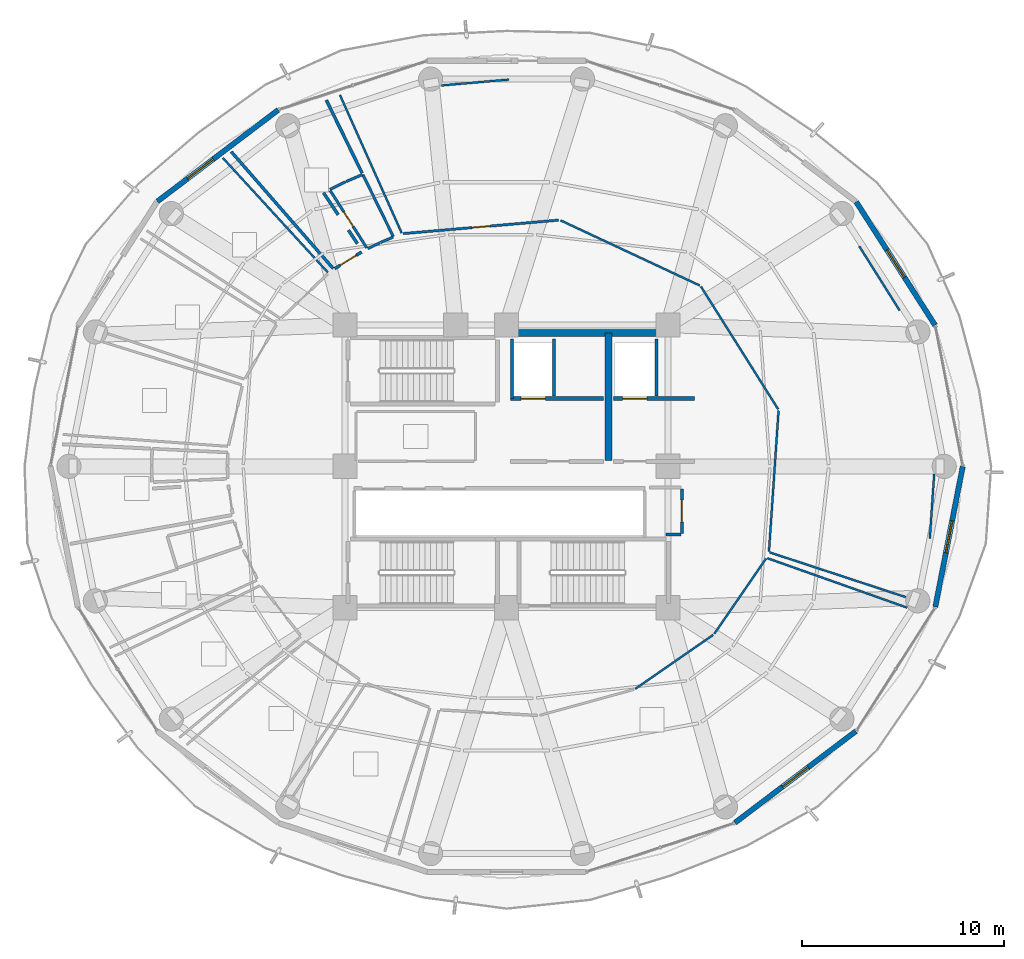
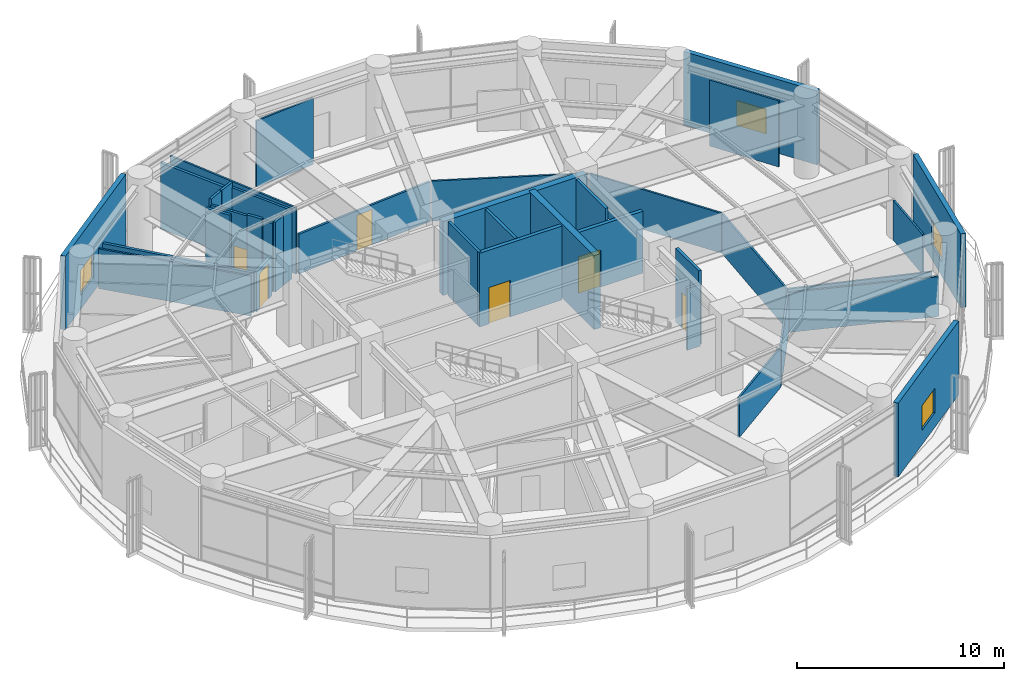
# One storey, part 23 of 28: 37 walls, 6 doors, 4 windows, 10 openings.
"""IFC4 building model written with IfcOpenShell, lengths in metres."""

import ifcopenshell
import ifcopenshell.guid

model = None  # the IFC model being written
_history = None  # IfcOwnerHistory: only IFC2X3 demands one
_inside = {}  # id of a spatial element -> (the spatial element, [elements in it])
_under = {}  # id of a project, library or spatial element -> (it, [spatial elements below it])
_declared = {}  # id of a project -> (the project, [libraries it declares])
_typed = {}  # id of a type object -> (the type object, [elements of that type])
_made_of = {}  # id of a material, layer set ... -> (it, [elements and type objects made of it])


def new_model(schema):
    """Start an empty IFC model of exactly this schema.

    Asked for "IFC4X3", IfcOpenShell would pick the latest addendum, in which some entities
    have other attributes; the version numbers below select the first issue.
    IFC2X3 requires an IfcOwnerHistory on every rooted entity: one is made here for all.
    """
    global model, _history
    if schema == "IFC4X3":
        model = ifcopenshell.file(schema_version=(4, 3, 0, 0))
    else:
        model = ifcopenshell.file(schema=schema)
    _inside.clear()
    _under.clear()
    _declared.clear()
    _typed.clear()
    _made_of.clear()
    _history = None
    if model.schema == "IFC2X3":
        org = make("IfcOrganization", Name="unknown")
        user = make(
            "IfcPersonAndOrganization",
            ThePerson=make("IfcPerson", FamilyName="unknown"),
            TheOrganization=org,
        )
        app = make(
            "IfcApplication",
            ApplicationDeveloper=org,
            Version="unknown",
            ApplicationFullName="unknown",
            ApplicationIdentifier="unknown",
        )
        _history = make(
            "IfcOwnerHistory",
            OwningUser=user,
            OwningApplication=app,
            ChangeAction="ADDED",
            CreationDate=0,
        )
    return model


def make(cls, **values):
    """One entity of the class cls with the attributes given. An attribute that is None is left unset."""
    return model.create_entity(
        cls, **{name: value for name, value in values.items() if value is not None}
    )


def rooted(cls, **values):
    """An entity with a GlobalId (a new one), such as an element, a storey or a relation."""
    return make(cls, GlobalId=ifcopenshell.guid.new(), OwnerHistory=_history, **values)


def si_unit(unit_type, name, prefix=None):
    """IfcSIUnit, for example si_unit("LENGTHUNIT", "METRE", prefix="MILLI")."""
    return make("IfcSIUnit", UnitType=unit_type, Prefix=prefix, Name=name)


def assignment(units):
    """IfcUnitAssignment: the units of a project."""
    return None if units is None else make("IfcUnitAssignment", Units=units)


def point(xyz):
    """IfcCartesianPoint."""
    return None if xyz is None else make("IfcCartesianPoint", Coordinates=xyz)


def direction(xyz):
    """IfcDirection."""
    return None if xyz is None else make("IfcDirection", DirectionRatios=xyz)


def frame(location, z_axis=None, x_axis=None):
    """IfcAxis2Placement3D, a coordinate frame: its origin and axes. An axis left out is left unset."""
    return make(
        "IfcAxis2Placement3D",
        Location=point(location),
        Axis=direction(z_axis),
        RefDirection=direction(x_axis),
    )


def frame_2d(location, x_axis=None):
    """IfcAxis2Placement2D, a coordinate frame in the plane: its origin and x axis."""
    return make(
        "IfcAxis2Placement2D", Location=point(location), RefDirection=direction(x_axis)
    )


def origin():
    """The frame at (0, 0, 0) with its axes left unset."""
    return frame((0.0, 0.0, 0.0))


def place(relative_to, where):
    """IfcLocalPlacement: puts the frame where relative to a parent placement (None: the world)."""
    return make(
        "IfcLocalPlacement", PlacementRelTo=relative_to, RelativePlacement=where
    )


def context(
    kind, dimensions, precision=None, world=None, true_north=None, identifier=None
):
    """IfcGeometricRepresentationContext, for example the 3D "Model" context."""
    return make(
        "IfcGeometricRepresentationContext",
        ContextIdentifier=identifier,
        ContextType=kind,
        CoordinateSpaceDimension=dimensions,
        Precision=precision,
        WorldCoordinateSystem=world,
        TrueNorth=true_north,
    )


def subcontext(parent, identifier, kind, view, scale=None):
    """IfcGeometricRepresentationSubContext, for example "Body" below "Model"."""
    return make(
        "IfcGeometricRepresentationSubContext",
        ContextIdentifier=identifier,
        ContextType=kind,
        ParentContext=parent,
        TargetScale=scale,
        TargetView=view,
    )


def project(units=None, contexts=None):
    """IfcProject with its units and contexts."""
    return rooted(
        "IfcProject",
        Name="project",
        RepresentationContexts=contexts,
        UnitsInContext=assignment(units),
    )


def spatial(cls, under=None, at=None, **own):
    """A site, building, storey or space (cls), placed at a placement, below another one or the project."""
    s = rooted(cls, ObjectPlacement=at, **own)
    if under is not None:
        _under.setdefault(under.id(), (under, []))[1].append(s)
    return s


def profile(cls, at=None, kind="AREA", **sizes):
    """A parametric profile (cls). Its sizes go by their IFC names, for example OverallWidth=200.0."""
    return make(cls, ProfileType=kind, Position=at, **sizes)


def rectangle(**sizes):
    """IfcRectangleProfileDef."""
    return profile("IfcRectangleProfileDef", **sizes)


def extrude(swept, where, along, depth):
    """IfcExtrudedAreaSolid: the profile swept, set in the frame where, extruded along a direction by depth."""
    return make(
        "IfcExtrudedAreaSolid",
        SweptArea=swept,
        Position=where,
        ExtrudedDirection=direction(along),
        Depth=depth,
    )


def shape(context_of_items, identifier, shape_type, items):
    """IfcShapeRepresentation: the items that make up one representation, for example the "Body"."""
    return make(
        "IfcShapeRepresentation",
        ContextOfItems=context_of_items,
        RepresentationIdentifier=identifier,
        RepresentationType=shape_type,
        Items=items,
    )


def material(Name=None, Category=None):
    """IfcMaterial."""
    return make("IfcMaterial", Name=Name, Category=Category)


def layer(
    of_material, thickness, ventilated=None, Name=None, Category=None, Priority=None
):
    """IfcMaterialLayer: one layer of a wall or slab, of a material (None: an air gap)."""
    return make(
        "IfcMaterialLayer",
        Material=of_material,
        LayerThickness=thickness,
        IsVentilated=ventilated,
        Name=Name,
        Category=Category,
        Priority=Priority,
    )


def layer_set(layers, Name=None):
    """IfcMaterialLayerSet."""
    return make("IfcMaterialLayerSet", MaterialLayers=layers, LayerSetName=Name)


def made_of(thing, what):
    """Note that an element or type object is made of a material, layer set ...; save() writes the relation."""
    if what is not None:
        _made_of.setdefault(what.id(), (what, []))[1].append(thing)
    return thing


def type_object(cls, material=None, **own):
    """A type object (cls), such as IfcWallType, which elements share."""
    return made_of(rooted(cls, **own), material)


def element(
    cls,
    number,
    at=None,
    inside=None,
    cuts=None,
    type_object=None,
    material=None,
    context=None,
    identifier="Body",
    shape_type=None,
    held_by="IfcProductDefinitionShape",
    body=None,
    shapes=None,
    **own,
):
    """One element of the class cls, such as IfcWall. Its Tag is "e" and its number.

    at: its placement. inside: the storey or other place that contains it. cuts: it is an
    opening in that element (IfcRelVoidsElement). A single representation is given by context,
    identifier, shape_type and body (its items); several are given by shapes. held_by: the class
    of the entity that holds the representations. save() writes the other relations.
    """
    e = rooted(cls, Tag="e%d" % number, ObjectPlacement=at, **own)
    if body is not None:
        shapes = [shape(context, identifier, shape_type, body)]
    if shapes is not None:
        e.Representation = make(held_by, Representations=shapes)
    if inside is not None:
        _inside.setdefault(inside.id(), (inside, []))[1].append(e)
    if cuts is not None:
        rooted(
            "IfcRelVoidsElement", RelatingBuildingElement=cuts, RelatedOpeningElement=e
        )
    if type_object is not None:
        _typed.setdefault(type_object.id(), (type_object, []))[1].append(e)
    return made_of(e, material)


def fill(opening, filler):
    """IfcRelFillsElement: the door or window that sits in an opening."""
    return rooted(
        "IfcRelFillsElement",
        RelatingOpeningElement=opening,
        RelatedBuildingElement=filler,
    )


def aggregate(whole, parts):
    """IfcRelAggregates: a whole, such as a stair, and the parts it consists of."""
    return rooted("IfcRelAggregates", RelatingObject=whole, RelatedObjects=parts)


def save(model, path):
    """Write the relations noted so far, then the file.

    IfcRelAggregates (storeys below a building ...), IfcRelContainedInSpatialStructure (elements
    in a storey), IfcRelDefinesByType, IfcRelAssociatesMaterial and IfcRelDeclares: one each for
    every whole, place, type object, material and project.
    """
    for whole, parts in _under.values():
        aggregate(whole, parts)
    for where, things in _inside.values():
        rooted(
            "IfcRelContainedInSpatialStructure",
            RelatedElements=things,
            RelatingStructure=where,
        )
    for kind, things in _typed.values():
        rooted("IfcRelDefinesByType", RelatedObjects=things, RelatingType=kind)
    for what, things in _made_of.values():
        rooted("IfcRelAssociatesMaterial", RelatedObjects=things, RelatingMaterial=what)
    for by, libraries in _declared.values():
        rooted("IfcRelDeclares", RelatingContext=by, RelatedDefinitions=libraries)
    model.write(path)


model = new_model("IFC4")

# Units and contexts
model_context = context("Model", 3, precision=1e-05, world=origin(), true_north=direction((0.0, 1.0)))
body_context = subcontext(model_context, "Body", "Model", "MODEL_VIEW")
ifc_project = project(units=[si_unit("LENGTHUNIT", "METRE"), si_unit("AREAUNIT", "SQUARE_METRE"), si_unit("VOLUMEUNIT", "CUBIC_METRE"), si_unit("PLANEANGLEUNIT", "RADIAN"), si_unit("MASSUNIT", "GRAM", prefix="KILO")], contexts=[model_context])

# Site, building, storey
site_placement = place(None, origin())
site = spatial("IfcSite", under=ifc_project, at=site_placement, CompositionType="ELEMENT")
building_placement = place(site_placement, origin())
building = spatial("IfcBuilding", under=site, at=building_placement, Name="Kelanora Arch Commons", CompositionType="ELEMENT")
storey_placement = place(building_placement, frame((0.0, 0.0, 184.35009765625)))
storey = spatial("IfcBuildingStorey", under=building, at=storey_placement, Name="L47", CompositionType="ELEMENT", Elevation=184.35009765625)

# Walls
ifc_material_1 = material(Name="Autoclaved aerated concrete blockwork with fire plaster", Category="masonry")
ifc_layer_1 = layer(ifc_material_1, 0.14990234375)
ifc_layer_set_1 = layer_set([ifc_layer_1], Name="Autoclaved aerated concrete blockwork with fire plaster")
wall_type_1 = type_object("IfcWallType", Name="W-COMP-150", PredefinedType="PARTITIONING", material=ifc_layer_set_1)
wall_1_placement = place(storey_placement, frame((74.280029296875, 61.35009765625, 0.0), z_axis=(0.0, 0.0, 1.0), x_axis=(0.0, 1.0, 0.0)))
element("IfcWall", 1, at=wall_1_placement, inside=storey, type_object=wall_type_1, Name="Firefighting Lift 1 West Shaft Wall L47", PredefinedType="PARTITIONING", context=body_context, shape_type="SweptSolid", body=[
    extrude(rectangle(XDim=2.969970703125, YDim=0.14990234375, at=frame_2d((1.48486328125, 0.0))), origin(), (0.0, 0.0, 1.0), 4.349853515625),
])
for number, where, z_axis, x_axis, name in (
    (2, (76.360107421875, 61.47998046875, 0.0), (0.0, 0.0, 1.0), (0.0, 1.0, 0.0), "Firefighting Lift 1 East Shaft Wall L47"),
    (3, (81.419921875, 61.47998046875, 0.0), (0.0, 0.0, 1.0), (0.0, 1.0, 0.0), "Firefighting Lift 2 East Shaft Wall L47"),
):
    element("IfcWall", number, at=place(storey_placement, frame(where, z_axis=z_axis, x_axis=x_axis)), inside=storey, type_object=wall_type_1, Name=name, PredefinedType="PARTITIONING", context=body_context, shape_type="SweptSolid", body=[
        extrude(rectangle(XDim=2.840087890625, YDim=0.14990234375, at=frame_2d((1.419921875, 0.0))), origin(), (0.0, 0.0, 1.0), 4.349853515625),
    ])

# Wall, opening, door
wall_2_placement = place(storey_placement, frame((82.679931640625, 54.679931640625, 0.0), z_axis=(0.0, 0.0, 1.0), x_axis=(0.0, 1.0, 0.0)))
wall_2 = element("IfcWall", 4, at=wall_2_placement, inside=storey, type_object=wall_type_1, Name="Core Housekeeping Store L47 Entry Partition", PredefinedType="PARTITIONING", context=body_context, shape_type="SweptSolid", body=[
    extrude(rectangle(XDim=2.2099609375, YDim=0.14990234375, at=frame_2d((1.10498046875, 0.0))), origin(), (0.0, 0.0, 1.0), 4.349853515625),
])
opening_1_placement = place(wall_2_placement, frame((0.56494140625, 0.0, 0.0)))
opening_1 = element("IfcOpeningElement", 5, at=opening_1_placement, cuts=wall_2, Name="Opening D-PLT1", PredefinedType="OPENING", context=body_context, shape_type="SweptSolid", body=[
    extrude(rectangle(XDim=1.080078125, YDim=2.10009765625, at=frame_2d((0.5400390625, 1.050048828125))), frame((0.0, 0.0849609375, 0.0), z_axis=(0.0, -1.0, 0.0), x_axis=(1.0, 0.0, 0.0)), (0.0, 0.0, 1.0), 0.169921875),
])
ifc_material_2 = material(Name="Galvanised steel plant and riser fire door", Category="steel")
door_type_1 = type_object("IfcDoorType", Name="D-PLT-110", OperationType="NOTDEFINED", PredefinedType="DOOR", material=ifc_material_2)
door_1_placement = place(opening_1_placement, origin())
door_1 = element("IfcDoor", 6, at=door_1_placement, inside=storey, type_object=door_type_1, Name="Core Housekeeping Store L47 Door", OperationType="SINGLE_SWING_LEFT", OverallHeight=2.10009765625, OverallWidth=1.080078125, PredefinedType="DOOR", context=body_context, shape_type="SweptSolid", body=[
    extrude(rectangle(XDim=1.080078125, YDim=2.10009765625, at=frame_2d((0.5400390625, 1.050048828125))), frame((0.0, 0.02490234375, 0.0), z_axis=(0.0, -1.0, 0.0), x_axis=(1.0, 0.0, 0.0)), (0.0, 0.0, 1.0), 0.050048828125),
])
fill(opening_1, door_1)

wall_3_placement = place(storey_placement, frame((66.81396484375, 68.616455078125, 0.0), z_axis=(0.0, 0.0, 1.0), x_axis=(-0.849572284685, -0.527472210732, 0.0)))
wall_3 = element("IfcWall", 7, at=wall_3_placement, inside=storey, type_object=wall_type_1, Name="Co-Living Studio L47-01 Entry Partition", PredefinedType="PARTITIONING", context=body_context, shape_type="SweptSolid", body=[
    extrude(rectangle(XDim=1.55615234375, YDim=0.14990234375, at=frame_2d((0.778076171875, 0.0))), origin(), (0.0, 0.0, 1.0), 2.344970703125),
])
opening_2_placement = place(wall_3_placement, frame((0.302978515625, 0.0, 0.0)))
opening_2 = element("IfcOpeningElement", 8, at=opening_2_placement, cuts=wall_3, Name="Opening D-CLU1", PredefinedType="OPENING", context=body_context, shape_type="SweptSolid", body=[
    extrude(rectangle(XDim=0.949951171875, YDim=2.080078125, at=frame_2d((0.47509765625, 1.0400390625))), frame((0.0, 0.0849609375, 0.0), z_axis=(0.0, -1.0, 0.0), x_axis=(1.0, 0.0, 0.0)), (0.0, 0.0, 1.0), 0.169921875),
])
ifc_material_3 = material(Name="Solid-core acoustic timber cluster entry fire door", Category="wood")
door_type_2 = type_object("IfcDoorType", Name="D-CLU-95", OperationType="NOTDEFINED", PredefinedType="DOOR", material=ifc_material_3)
door_2_placement = place(opening_2_placement, origin())
door_2 = element("IfcDoor", 9, at=door_2_placement, inside=storey, type_object=door_type_2, Name="Co-Living Studio L47-01 Door", OperationType="SINGLE_SWING_RIGHT", OverallHeight=2.080078125, OverallWidth=0.949951171875, PredefinedType="DOOR", context=body_context, shape_type="SweptSolid", body=[
    extrude(rectangle(XDim=0.949951171875, YDim=2.080078125, at=frame_2d((0.47509765625, 1.0400390625))), frame((0.0, 0.02490234375, 0.0), z_axis=(0.0, -1.0, 0.0), x_axis=(1.0, 0.0, 0.0)), (0.0, 0.0, 1.0), 0.050048828125),
])
fill(opening_2, door_2)

# Walls
wall_4_placement = place(storey_placement, frame((81.89990234375, 54.6201171875, 0.0), z_axis=(0.0, 0.0, 1.0), x_axis=(1.0, 0.0, 0.0)))
element("IfcWall", 10, at=wall_4_placement, inside=storey, type_object=wall_type_1, Name="Core Housekeeping Store L47 Enclosure Partition 1", PredefinedType="PARTITIONING", context=body_context, shape_type="SweptSolid", body=[
    extrude(rectangle(XDim=0.739990234375, YDim=0.14990234375, at=frame_2d((0.3701171875, 0.0))), origin(), (0.0, 0.0, 1.0), 3.64501953125),
])
wall_5_placement = place(storey_placement, frame((65.414794921875, 67.794189453125, 0.0), z_axis=(0.0, 0.0, 1.0), x_axis=(-0.657449338105, 0.753498751044, 0.0)))
element("IfcWall", 11, at=wall_5_placement, inside=storey, type_object=wall_type_1, Name="Co-Living Studio L47-01 Enclosure Partition 2", PredefinedType="PARTITIONING", context=body_context, shape_type="SweptSolid", body=[
    extrude(rectangle(XDim=7.6865234375, YDim=0.14990234375, at=frame_2d((3.84326171875, 0.0))), origin(), (0.0, 0.0, 1.0), 2.344970703125),
])
wall_6_placement = place(storey_placement, frame((65.071533203125, 76.13916015625, 0.0), z_axis=(0.0, 0.0, 1.0), x_axis=(0.44056455493, -0.897720932662, 0.0)))
element("IfcWall", 12, at=wall_6_placement, inside=storey, type_object=wall_type_1, Name="Co-Living Studio L47-01 Enclosure Partition 5", PredefinedType="PARTITIONING", context=body_context, shape_type="SweptSolid", body=[
    extrude(rectangle(XDim=4.01708984375, YDim=0.14990234375, at=frame_2d((2.008544921875, 0.0))), origin(), (0.0, 0.0, 1.0), 3.89501953125),
])
wall_7_placement = place(storey_placement, frame((64.93017578125, 71.55078125, 0.0), z_axis=(0.0, 0.0, 1.0), x_axis=(0.554614122057, -0.832107670686, 0.0)))
element("IfcWall", 13, at=wall_7_placement, inside=storey, type_object=wall_type_1, Name="Co-Living Studio L47-01 Enclosure Partition 7", PredefinedType="PARTITIONING", context=body_context, shape_type="SweptSolid", body=[
    extrude(rectangle(XDim=1.30908203125, YDim=0.14990234375, at=frame_2d((0.654541015625, 0.0))), origin(), (0.0, 0.0, 1.0), 4.044921875),
])
wall_8_placement = place(storey_placement, frame((66.16650390625, 69.69580078125, 0.0), z_axis=(0.0, 0.0, 1.0), x_axis=(0.554700196225, -0.832050294338, 0.0)))
element("IfcWall", 14, at=wall_8_placement, inside=storey, type_object=wall_type_1, Name="Co-Living Studio L47-01 Enclosure Partition 7", PredefinedType="PARTITIONING", context=body_context, shape_type="SweptSolid", body=[
    extrude(rectangle(XDim=0.792236328125, YDim=0.14990234375, at=frame_2d((0.39599609375, 0.0))), origin(), (0.0, 0.0, 1.0), 4.349853515625),
])
ifc_material_4 = material(Name="Concrete C50/60", Category="concrete")
ifc_layer_2 = layer(ifc_material_4, 0.35009765625)
ifc_layer_set_2 = layer_set([ifc_layer_2], Name="Concrete C50/60")
wall_type_2 = type_object("IfcWallType", Name="W-CORE-350", PredefinedType="SHEAR", material=ifc_layer_set_2)
wall_9_placement = place(storey_placement, frame((74.0, 64.60009765625, 0.0), z_axis=(0.0, 0.0, 1.0), x_axis=(1.0, 0.0, 0.0)))
element("IfcWall", 15, at=wall_9_placement, inside=storey, type_object=wall_type_2, Name="Core Shear Spine L47-CN-E", PredefinedType="SHEAR", context=body_context, shape_type="SweptSolid", body=[
    extrude(rectangle(XDim=8.0, YDim=0.35009765625, at=frame_2d((4.0, 0.0))), origin(), (0.0, 0.0, 1.0), 4.35986328125),
])
wall_10_placement = place(storey_placement, frame((79.050048828125, 58.300048828125, 0.0), z_axis=(0.0, 0.0, 1.0), x_axis=(0.0, 1.0, 0.0)))
element("IfcWall", 16, at=wall_10_placement, inside=storey, type_object=wall_type_2, Name="Core Shear Spine L47-CE-N", PredefinedType="SHEAR", context=body_context, shape_type="SweptSolid", body=[
    extrude(rectangle(XDim=6.300048828125, YDim=0.35009765625, at=frame_2d((3.14990234375, 0.0))), origin(), (0.0, 0.0, 1.0), 4.35986328125),
])

# Wall, opening, window
ifc_material_5 = material(Name="Precast concrete C40/50 with terracotta rainscreen", Category="masonry")
ifc_layer_3 = layer(ifc_material_5, 0.260009765625)
ifc_layer_set_3 = layer_set([ifc_layer_3], Name="Precast concrete C40/50 with terracotta rainscreen")
wall_type_3 = type_object("IfcWallType", Name="W-EXT-TC", PredefinedType="SOLIDWALL", material=ifc_layer_set_3)
wall_11_placement = place(storey_placement, frame((95.22900390625, 64.98974609375, 0.0), z_axis=(0.0, 0.0, 1.0), x_axis=(-0.538801521808, 0.842432739213, 0.0)))
wall_11 = element("IfcWall", 17, at=wall_11_placement, inside=storey, type_object=wall_type_3, Name="Terracotta Exterior Wall L47-B01", PredefinedType="SOLIDWALL", context=body_context, shape_type="SweptSolid", body=[
    extrude(rectangle(XDim=7.25341796875, YDim=0.260009765625, at=frame_2d((3.626708984375, 0.0))), origin(), (0.0, 0.0, 1.0), 4.344970703125),
])
opening_3_placement = place(wall_11_placement, frame((2.826904296875, 0.0, 0.85009765625)))
opening_3 = element("IfcOpeningElement", 18, at=opening_3_placement, cuts=wall_11, Name="Opening WN-01", PredefinedType="OPENING", context=body_context, shape_type="SweptSolid", body=[
    extrude(rectangle(XDim=1.60009765625, YDim=1.449951171875, at=frame_2d((0.800048828125, 0.72509765625))), frame((0.0, 0.14013671875, 0.0), z_axis=(0.0, -1.0, 0.0), x_axis=(1.0, 0.0, 0.0)), (0.0, 0.0, 1.0), 0.280029296875),
])
ifc_material_6 = material(Name="Terracotta-anodised aluminium frame with operable low-E glazing", Category="masonry")
window_type = type_object("IfcWindowType", Name="WIN-CL-18", PartitioningType="DOUBLE_PANEL_VERTICAL", PredefinedType="WINDOW", material=ifc_material_6)
window_1_placement = place(opening_3_placement, origin())
window_1 = element("IfcWindow", 19, at=window_1_placement, inside=storey, type_object=window_type, Name="Co-Living Operable Window L47-B01", OverallHeight=1.449951171875, OverallWidth=1.60009765625, PartitioningType="SINGLE_PANEL", PredefinedType="WINDOW", context=body_context, shape_type="SweptSolid", body=[
    extrude(rectangle(XDim=1.60009765625, YDim=1.449951171875, at=frame_2d((0.800048828125, 0.72509765625))), frame((0.0, 0.030029296875, 0.0), z_axis=(0.0, -1.0, 0.0), x_axis=(1.0, 0.0, 0.0)), (0.0, 0.0, 1.0), 0.06005859375),
])
fill(opening_3, window_1)

wall_12_placement = place(storey_placement, frame((62.68798828125, 75.65771484375, 0.0), z_axis=(0.0, 0.0, 1.0), x_axis=(-0.797163719609, -0.603763202042, 0.0)))
wall_12 = element("IfcWall", 20, at=wall_12_placement, inside=storey, type_object=wall_type_3, Name="Terracotta Exterior Wall L47-B06", PredefinedType="SOLIDWALL", context=body_context, shape_type="SweptSolid", body=[
    extrude(rectangle(XDim=7.51220703125, YDim=0.260009765625, at=frame_2d((3.756103515625, 0.0))), origin(), (0.0, 0.0, 1.0), 4.344970703125),
])
opening_4_placement = place(wall_12_placement, frame((4.035888671875, 0.0, 0.85009765625)))
opening_4 = element("IfcOpeningElement", 21, at=opening_4_placement, cuts=wall_12, Name="Opening WN-01", PredefinedType="OPENING", context=body_context, shape_type="SweptSolid", body=[
    extrude(rectangle(XDim=1.60009765625, YDim=1.449951171875, at=frame_2d((0.800048828125, 0.72509765625))), frame((0.0, 0.14013671875, 0.0), z_axis=(0.0, -1.0, 0.0), x_axis=(1.0, 0.0, 0.0)), (0.0, 0.0, 1.0), 0.280029296875),
])
window_2_placement = place(opening_4_placement, origin())
window_2 = element("IfcWindow", 22, at=window_2_placement, inside=storey, type_object=window_type, Name="Co-Living Operable Window L47-B06", OverallHeight=1.449951171875, OverallWidth=1.60009765625, PartitioningType="SINGLE_PANEL", PredefinedType="WINDOW", context=body_context, shape_type="SweptSolid", body=[
    extrude(rectangle(XDim=1.60009765625, YDim=1.449951171875, at=frame_2d((0.800048828125, 0.72509765625))), frame((0.0, 0.030029296875, 0.0), z_axis=(0.0, -1.0, 0.0), x_axis=(1.0, 0.0, 0.0)), (0.0, 0.0, 1.0), 0.06005859375),
])
fill(opening_4, window_2)

wall_13_placement = place(storey_placement, frame((85.31201171875, 40.34228515625, 0.0), z_axis=(0.0, 0.0, 1.0), x_axis=(0.797163719609, 0.603763202042, 0.0)))
wall_13 = element("IfcWall", 23, at=wall_13_placement, inside=storey, type_object=wall_type_3, Name="Terracotta Exterior Wall L47-B15", PredefinedType="SOLIDWALL", context=body_context, shape_type="SweptSolid", body=[
    extrude(rectangle(XDim=7.51220703125, YDim=0.260009765625, at=frame_2d((3.756103515625, 0.0))), origin(), (0.0, 0.0, 1.0), 4.344970703125),
])
opening_5_placement = place(wall_13_placement, frame((2.9560546875, 0.0, 0.85009765625)))
opening_5 = element("IfcOpeningElement", 24, at=opening_5_placement, cuts=wall_13, Name="Opening WN-01", PredefinedType="OPENING", context=body_context, shape_type="SweptSolid", body=[
    extrude(rectangle(XDim=1.60009765625, YDim=1.449951171875, at=frame_2d((0.800048828125, 0.72509765625))), frame((0.0, 0.14013671875, 0.0), z_axis=(0.0, -1.0, 0.0), x_axis=(1.0, 0.0, 0.0)), (0.0, 0.0, 1.0), 0.280029296875),
])
window_3_placement = place(opening_5_placement, origin())
window_3 = element("IfcWindow", 25, at=window_3_placement, inside=storey, type_object=window_type, Name="Co-Living Operable Window L47-B15", OverallHeight=1.449951171875, OverallWidth=1.60009765625, PartitioningType="SINGLE_PANEL", PredefinedType="WINDOW", context=body_context, shape_type="SweptSolid", body=[
    extrude(rectangle(XDim=1.60009765625, YDim=1.449951171875, at=frame_2d((0.800048828125, 0.72509765625))), frame((0.0, 0.030029296875, 0.0), z_axis=(0.0, -1.0, 0.0), x_axis=(1.0, 0.0, 0.0)), (0.0, 0.0, 1.0), 0.06005859375),
])
fill(opening_5, window_3)

wall_14_placement = place(storey_placement, frame((95.239990234375, 51.03759765625, 0.0), z_axis=(0.0, 0.0, 1.0), x_axis=(0.191716984769, 0.981450252306, 0.0)))
wall_14 = element("IfcWall", 26, at=wall_14_placement, inside=storey, type_object=wall_type_3, Name="Terracotta Exterior Wall L47-B17", PredefinedType="SOLIDWALL", context=body_context, shape_type="SweptSolid", body=[
    extrude(rectangle(XDim=7.0791015625, YDim=0.260009765625, at=frame_2d((3.53955078125, 0.0))), origin(), (0.0, 0.0, 1.0), 4.344970703125),
])
opening_6_placement = place(wall_14_placement, frame((2.739990234375, 0.0, 0.85009765625)))
opening_6 = element("IfcOpeningElement", 27, at=opening_6_placement, cuts=wall_14, Name="Opening WN-01", PredefinedType="OPENING", context=body_context, shape_type="SweptSolid", body=[
    extrude(rectangle(XDim=1.60009765625, YDim=1.449951171875, at=frame_2d((0.800048828125, 0.72509765625))), frame((0.0, 0.14013671875, 0.0), z_axis=(0.0, -1.0, 0.0), x_axis=(1.0, 0.0, 0.0)), (0.0, 0.0, 1.0), 0.280029296875),
])
window_4_placement = place(opening_6_placement, origin())
window_4 = element("IfcWindow", 28, at=window_4_placement, inside=storey, type_object=window_type, Name="Co-Living Operable Window L47-B17", OverallHeight=1.449951171875, OverallWidth=1.60009765625, PartitioningType="SINGLE_PANEL", PredefinedType="WINDOW", context=body_context, shape_type="SweptSolid", body=[
    extrude(rectangle(XDim=1.60009765625, YDim=1.449951171875, at=frame_2d((0.800048828125, 0.72509765625))), frame((0.0, 0.030029296875, 0.0), z_axis=(0.0, -1.0, 0.0), x_axis=(1.0, 0.0, 0.0)), (0.0, 0.0, 1.0), 0.06005859375),
])
fill(opening_6, window_4)

# Wall, opening, door
ifc_material_7 = material(Name="Concrete C40/50", Category="concrete")
ifc_layer_4 = layer(ifc_material_7, 0.199951171875)
ifc_layer_set_4 = layer_set([ifc_layer_4], Name="Concrete C40/50")
wall_type_4 = type_object("IfcWallType", Name="W-FFL-200", PredefinedType="SOLIDWALL", material=ifc_layer_set_4)
wall_15_placement = place(storey_placement, frame((74.199951171875, 61.35009765625, 0.0), z_axis=(0.0, 0.0, 1.0), x_axis=(1.0, 0.0, 0.0)))
wall_15 = element("IfcWall", 29, at=wall_15_placement, inside=storey, type_object=wall_type_4, Name="Firefighting Lift 1 Shaft Front L47", PredefinedType="SOLIDWALL", context=body_context, shape_type="SweptSolid", body=[
    extrude(rectangle(XDim=4.60009765625, YDim=0.199951171875, at=frame_2d((2.300048828125, 0.0))), origin(), (0.0, 0.0, 1.0), 4.349853515625),
])
opening_7_placement = place(wall_15_placement, frame((0.52001953125, 0.0, 0.0)))
opening_7 = element("IfcOpeningElement", 30, at=opening_7_placement, cuts=wall_15, Name="Opening LD-FF", PredefinedType="OPENING", context=body_context, shape_type="SweptSolid", body=[
    extrude(rectangle(XDim=1.199951171875, YDim=2.14990234375, at=frame_2d((0.60009765625, 1.074951171875))), frame((0.0, 0.10986328125, 0.0), z_axis=(0.0, -1.0, 0.0), x_axis=(1.0, 0.0, 0.0)), (0.0, 0.0, 1.0), 0.219970703125),
])
ifc_material_8 = material(Name="Fire-rated firefighters lift sliding landing door")
door_type_3 = type_object("IfcDoorType", Name="D-LIFT-FF", OperationType="NOTDEFINED", PredefinedType="DOOR", material=ifc_material_8)
door_3_placement = place(opening_7_placement, origin())
door_3 = element("IfcDoor", 31, at=door_3_placement, inside=storey, type_object=door_type_3, Name="Firefighting Lift LF-FF1 Landing Door L47", OperationType="DOUBLE_DOOR_SLIDING", OverallHeight=2.14990234375, OverallWidth=1.199951171875, PredefinedType="DOOR", context=body_context, shape_type="SweptSolid", body=[
    extrude(rectangle(XDim=1.199951171875, YDim=2.14990234375, at=frame_2d((0.60009765625, 1.074951171875))), frame((0.0, 0.02490234375, 0.0), z_axis=(0.0, -1.0, 0.0), x_axis=(1.0, 0.0, 0.0)), (0.0, 0.0, 1.0), 0.050048828125),
])
fill(opening_7, door_3)

wall_16_placement = place(storey_placement, frame((79.300048828125, 61.35009765625, 0.0), z_axis=(0.0, 0.0, 1.0), x_axis=(1.0, 0.0, 0.0)))
wall_16 = element("IfcWall", 32, at=wall_16_placement, inside=storey, type_object=wall_type_4, Name="Firefighting Lift 2 Shaft Front L47", PredefinedType="SOLIDWALL", context=body_context, shape_type="SweptSolid", body=[
    extrude(rectangle(XDim=4.0, YDim=0.199951171875, at=frame_2d((2.0, 0.0))), origin(), (0.0, 0.0, 1.0), 3.64501953125),
])
opening_8_placement = place(wall_16_placement, frame((0.449951171875, 0.0, 0.0)))
opening_8 = element("IfcOpeningElement", 33, at=opening_8_placement, cuts=wall_16, Name="Opening LD-FF", PredefinedType="OPENING", context=body_context, shape_type="SweptSolid", body=[
    extrude(rectangle(XDim=1.199951171875, YDim=2.14990234375, at=frame_2d((0.60009765625, 1.074951171875))), frame((0.0, 0.10986328125, 0.0), z_axis=(0.0, -1.0, 0.0), x_axis=(1.0, 0.0, 0.0)), (0.0, 0.0, 1.0), 0.219970703125),
])
door_4_placement = place(opening_8_placement, origin())
door_4 = element("IfcDoor", 34, at=door_4_placement, inside=storey, type_object=door_type_3, Name="Firefighting Lift LF-FF2 Landing Door L47", OperationType="DOUBLE_DOOR_SLIDING", OverallHeight=2.14990234375, OverallWidth=1.199951171875, PredefinedType="DOOR", context=body_context, shape_type="SweptSolid", body=[
    extrude(rectangle(XDim=1.199951171875, YDim=2.14990234375, at=frame_2d((0.60009765625, 1.074951171875))), frame((0.0, 0.02490234375, 0.0), z_axis=(0.0, -1.0, 0.0), x_axis=(1.0, 0.0, 0.0)), (0.0, 0.0, 1.0), 0.050048828125),
])
fill(opening_8, door_4)

# Walls
ifc_material_9 = material(Name="Lightweight fire-rated acoustic stud partition")
ifc_layer_5 = layer(ifc_material_9, 0.10009765625)
ifc_layer_set_5 = layer_set([ifc_layer_5], Name="Lightweight fire-rated acoustic stud partition")
wall_type_5 = type_object("IfcWallType", Name="W-PART-100", PredefinedType="PARTITIONING", material=ifc_layer_set_5)
wall_17_placement = place(storey_placement, frame((80.3759765625, 46.976806640625, 0.0), z_axis=(0.0, 0.0, 1.0), x_axis=(0.821969471946, 0.569531550653, 0.0)))
element("IfcWall", 35, at=wall_17_placement, inside=storey, type_object=wall_type_5, Name="South-East Social Sky Lounge L47 Enclosure Partition 3", PredefinedType="PARTITIONING", context=body_context, shape_type="SweptSolid", body=[
    extrude(rectangle(XDim=4.697265625, YDim=0.10009765625, at=frame_2d((2.3486328125, 0.0))), origin(), (0.0, 0.0, 1.0), 2.344970703125),
])
wall_18_placement = place(storey_placement, frame((84.292724609375, 49.7080078125, 0.0), z_axis=(0.0, 0.0, 1.0), x_axis=(0.566732833033, 0.823901630028, 0.0)))
element("IfcWall", 36, at=wall_18_placement, inside=storey, type_object=wall_type_5, Name="South-East Social Sky Lounge L47 Enclosure Partition 4", PredefinedType="PARTITIONING", context=body_context, shape_type="SweptSolid", body=[
    extrude(rectangle(XDim=4.519775390625, YDim=0.10009765625, at=frame_2d((2.259765625, 0.0))), origin(), (0.0, 0.0, 1.0), 2.344970703125),
])
wall_19_placement = place(storey_placement, frame((86.914794921875, 53.45166015625, 0.0), z_axis=(0.0, 0.0, 1.0), x_axis=(0.942679225918, -0.333700280226, 0.0)))
element("IfcWall", 37, at=wall_19_placement, inside=storey, type_object=wall_type_5, Name="South-East Social Sky Lounge L47 Enclosure Partition 5", PredefinedType="PARTITIONING", context=body_context, shape_type="SweptSolid", body=[
    extrude(rectangle(XDim=7.35498046875, YDim=0.10009765625, at=frame_2d((3.677490234375, 0.0))), origin(), (0.0, 0.0, 1.0), 2.344970703125),
])
wall_20_placement = place(storey_placement, frame((86.998779296875, 53.788818359375, 0.0), z_axis=(0.0, 0.0, 1.0), x_axis=(0.06796220027, 0.997687896757, 0.0)))
element("IfcWall", 38, at=wall_20_placement, inside=storey, type_object=wall_type_5, Name="North-East Quiet Study Commons L47 Enclosure Partition 1", PredefinedType="PARTITIONING", context=body_context, shape_type="SweptSolid", body=[
    extrude(rectangle(XDim=6.9833984375, YDim=0.10009765625, at=frame_2d((3.49169921875, 0.0))), origin(), (0.0, 0.0, 1.0), 2.344970703125),
])
wall_21_placement = place(storey_placement, frame((87.45458984375, 60.829833984375, 0.0), z_axis=(0.0, 0.0, 1.0), x_axis=(-0.532779908113, 0.846253844606, 0.0)))
element("IfcWall", 39, at=wall_21_placement, inside=storey, type_object=wall_type_5, Name="North-East Quiet Study Commons L47 Enclosure Partition 2", PredefinedType="PARTITIONING", context=body_context, shape_type="SweptSolid", body=[
    extrude(rectangle(XDim=7.181640625, YDim=0.10009765625, at=frame_2d((3.5908203125, 0.0))), origin(), (0.0, 0.0, 1.0), 2.344970703125),
])
wall_22_placement = place(storey_placement, frame((83.57080078125, 66.9580078125, 0.0), z_axis=(0.0, 0.0, 1.0), x_axis=(-0.905722184587, 0.423871825374, 0.0)))
element("IfcWall", 40, at=wall_22_placement, inside=storey, type_object=wall_type_5, Name="North-East Quiet Study Commons L47 Enclosure Partition 3", PredefinedType="PARTITIONING", context=body_context, shape_type="SweptSolid", body=[
    extrude(rectangle(XDim=7.61328125, YDim=0.10009765625, at=frame_2d((3.806640625, 0.0))), origin(), (0.0, 0.0, 1.0), 2.344970703125),
])
wall_23_placement = place(storey_placement, frame((68.802734375, 69.5615234375, 0.0), z_axis=(0.0, 0.0, 1.0), x_axis=(-0.408373210504, 0.912815052978, 0.0)))
element("IfcWall", 41, at=wall_23_placement, inside=storey, type_object=wall_type_5, Name="North-East Quiet Study Commons L47 Enclosure Partition 5", PredefinedType="PARTITIONING", context=body_context, shape_type="SweptSolid", body=[
    extrude(rectangle(XDim=7.48681640625, YDim=0.10009765625, at=frame_2d((3.743408203125, 0.0))), origin(), (0.0, 0.0, 1.0), 3.89501953125),
])
wall_24_placement = place(storey_placement, frame((70.775390625, 76.869873046875, 0.0), z_axis=(0.0, 0.0, 1.0), x_axis=(0.996259989343, 0.086406212938, 0.0)))
element("IfcWall", 42, at=wall_24_placement, inside=storey, type_object=wall_type_5, Name="North-East Quiet Study Commons L47 Enclosure Partition 6", PredefinedType="PARTITIONING", context=body_context, shape_type="SweptSolid", body=[
    extrude(rectangle(XDim=3.34814453125, YDim=0.10009765625, at=frame_2d((1.674072265625, 0.0))), origin(), (0.0, 0.0, 1.0), 3.89501953125),
])
wall_25_placement = place(storey_placement, frame((91.468505859375, 68.909912109375, 0.0), z_axis=(0.0, 0.0, 1.0), x_axis=(0.532022608376, -0.846730148381, 0.0)))
element("IfcWall", 43, at=wall_25_placement, inside=storey, type_object=wall_type_5, Name="North-East Quiet Study Commons L47 Enclosure Partition 8", PredefinedType="PARTITIONING", context=body_context, shape_type="SweptSolid", body=[
    extrude(rectangle(XDim=3.76025390625, YDim=0.10009765625, at=frame_2d((1.880126953125, 0.0))), origin(), (0.0, 0.0, 1.0), 3.89501953125),
])
wall_26_placement = place(storey_placement, frame((95.18408203125, 57.619384765625, 0.0), z_axis=(0.0, 0.0, 1.0), x_axis=(-0.06775835494, -0.997701761718, 0.0)))
element("IfcWall", 44, at=wall_26_placement, inside=storey, type_object=wall_type_5, Name="North-East Quiet Study Commons L47 Enclosure Partition 9", PredefinedType="PARTITIONING", context=body_context, shape_type="SweptSolid", body=[
    extrude(rectangle(XDim=3.203125, YDim=0.10009765625, at=frame_2d((1.6015625, 0.0))), origin(), (0.0, 0.0, 1.0), 2.344970703125),
])
wall_27_placement = place(storey_placement, frame((93.77490234375, 51.520751953125, 0.0), z_axis=(0.0, 0.0, 1.0), x_axis=(-0.949992823036, 0.312271734521, 0.0)))
element("IfcWall", 45, at=wall_27_placement, inside=storey, type_object=wall_type_5, Name="North-East Quiet Study Commons L47 Enclosure Partition 10", PredefinedType="PARTITIONING", context=body_context, shape_type="SweptSolid", body=[
    extrude(rectangle(XDim=7.095703125, YDim=0.10009765625, at=frame_2d((3.5478515625, 0.0))), origin(), (0.0, 0.0, 1.0), 2.344970703125),
])
wall_28_placement = place(storey_placement, frame((59.943115234375, 73.280517578125, 0.0), z_axis=(0.0, 0.0, 1.0), x_axis=(0.675932664954, -0.736963386097, 0.0)))
element("IfcWall", 46, at=wall_28_placement, inside=storey, type_object=wall_type_5, Name="Quiet Seminar Study Room L47-02 Enclosure Partition 4", PredefinedType="PARTITIONING", context=body_context, shape_type="SweptSolid", body=[
    extrude(rectangle(XDim=7.70458984375, YDim=0.10009765625, at=frame_2d((3.852294921875, 0.0))), origin(), (0.0, 0.0, 1.0), 2.344970703125),
])

# Wall, opening, door
ifc_material_10 = material(Name="Acoustic twin-stud fire-rated gypsum partition")
ifc_layer_6 = layer(ifc_material_10, 0.1201171875)
ifc_layer_set_6 = layer_set([ifc_layer_6], Name="Acoustic twin-stud fire-rated gypsum partition")
wall_type_6 = type_object("IfcWallType", Name="W-PART-120", PredefinedType="PARTITIONING", material=ifc_layer_set_6)
wall_29_placement = place(storey_placement, frame((76.5791015625, 70.19677734375, 0.0), z_axis=(0.0, 0.0, 1.0), x_axis=(-0.99627488284, -0.086234319282, 0.0)))
wall_29 = element("IfcWall", 47, at=wall_29_placement, inside=storey, type_object=wall_type_6, Name="North-East Quiet Study Commons L47 Entry Partition", PredefinedType="PARTITIONING", context=body_context, shape_type="SweptSolid", body=[
    extrude(rectangle(XDim=7.72900390625, YDim=0.1201171875, at=frame_2d((3.864501953125, 0.0))), origin(), (0.0, 0.0, 1.0), 2.344970703125),
])
opening_9_placement = place(wall_29_placement, frame((3.4150390625, 0.0, 0.0)))
opening_9 = element("IfcOpeningElement", 48, at=opening_9_placement, cuts=wall_29, Name="Opening D-RM1", PredefinedType="OPENING", context=body_context, shape_type="SweptSolid", body=[
    extrude(rectangle(XDim=0.89990234375, YDim=2.080078125, at=frame_2d((0.449951171875, 1.0400390625))), frame((0.0, 0.070068359375, 0.0), z_axis=(0.0, -1.0, 0.0), x_axis=(1.0, 0.0, 0.0)), (0.0, 0.0, 1.0), 0.14013671875),
])
ifc_material_11 = material(Name="Acoustic fire-rated timber study and lounge door", Category="wood")
door_type_4 = type_object("IfcDoorType", Name="D-ROOM-90", OperationType="NOTDEFINED", PredefinedType="DOOR", material=ifc_material_11)
door_5_placement = place(opening_9_placement, origin())
door_5 = element("IfcDoor", 49, at=door_5_placement, inside=storey, type_object=door_type_4, Name="North-East Quiet Study Commons L47 Door", OperationType="SINGLE_SWING_RIGHT", OverallHeight=2.080078125, OverallWidth=0.89990234375, PredefinedType="DOOR", context=body_context, shape_type="SweptSolid", body=[
    extrude(rectangle(XDim=0.89990234375, YDim=2.080078125, at=frame_2d((0.449951171875, 1.0400390625))), frame((0.0, 0.02490234375, 0.0), z_axis=(0.0, -1.0, 0.0), x_axis=(1.0, 0.0, 0.0)), (0.0, 0.0, 1.0), 0.050048828125),
])
fill(opening_9, door_5)

ifc_material_12 = material(Name="Moisture-resistant fire-rated cement-board plumbing wall")
ifc_layer_7 = layer(ifc_material_12, 0.1298828125)
ifc_layer_set_7 = layer_set([ifc_layer_7], Name="Moisture-resistant fire-rated cement-board plumbing wall")
wall_type_7 = type_object("IfcWallType", Name="W-WET-120", PredefinedType="PLUMBINGWALL", material=ifc_layer_set_7)
wall_30_placement = place(storey_placement, frame((67.07275390625, 68.82568359375, 0.0), z_axis=(0.0, 0.0, 1.0), x_axis=(-0.537814804981, 0.843063008051, 0.0)))
wall_30 = element("IfcWall", 50, at=wall_30_placement, inside=storey, type_object=wall_type_7, Name="En-Suite Shower WC L47-01 Entry Partition", PredefinedType="PLUMBINGWALL", context=body_context, shape_type="SweptSolid", body=[
    extrude(rectangle(XDim=3.3623046875, YDim=0.1298828125, at=frame_2d((1.68115234375, 0.0))), origin(), (0.0, 0.0, 1.0), 4.044921875),
])
opening_10_placement = place(wall_30_placement, frame((1.2509765625, 0.0, 0.0)))
opening_10 = element("IfcOpeningElement", 51, at=opening_10_placement, cuts=wall_30, Name="Opening D-BT1", PredefinedType="OPENING", context=body_context, shape_type="SweptSolid", body=[
    extrude(rectangle(XDim=0.860107421875, YDim=2.050048828125, at=frame_2d((0.43017578125, 1.02490234375))), frame((0.0, 0.074951171875, 0.0), z_axis=(0.0, -1.0, 0.0), x_axis=(1.0, 0.0, 0.0)), (0.0, 0.0, 1.0), 0.14990234375),
])
ifc_material_13 = material(Name="Moisture-sealed fire-rated accessible bathroom door")
door_type_5 = type_object("IfcDoorType", Name="D-BATH-85", OperationType="NOTDEFINED", PredefinedType="DOOR", material=ifc_material_13)
door_6_placement = place(opening_10_placement, origin())
door_6 = element("IfcDoor", 52, at=door_6_placement, inside=storey, type_object=door_type_5, Name="En-Suite Shower WC L47-01 Door", OperationType="SINGLE_SWING_LEFT", OverallHeight=2.050048828125, OverallWidth=0.860107421875, PredefinedType="DOOR", context=body_context, shape_type="SweptSolid", body=[
    extrude(rectangle(XDim=0.860107421875, YDim=2.050048828125, at=frame_2d((0.43017578125, 1.02490234375))), frame((0.0, 0.02490234375, 0.0), z_axis=(0.0, -1.0, 0.0), x_axis=(1.0, 0.0, 0.0)), (0.0, 0.0, 1.0), 0.050048828125),
])
fill(opening_10, door_6)

# Walls
wall_31_placement = place(storey_placement, frame((68.378662109375, 69.356201171875, 0.0), z_axis=(0.0, 0.0, 1.0), x_axis=(-0.919951191688, -0.392032913046, 0.0)))
element("IfcWall", 53, at=wall_31_placement, inside=storey, type_object=wall_type_7, Name="En-Suite Shower WC L47-01 Enclosure Partition 1", PredefinedType="PLUMBINGWALL", context=body_context, shape_type="SweptSolid", body=[
    extrude(rectangle(XDim=0.671875, YDim=0.1298828125, at=frame_2d((0.3359375, 0.0))), origin(), (0.0, 0.0, 1.0), 4.10498046875),
])
wall_32_placement = place(storey_placement, frame((67.72412109375, 69.076171875, 0.0), z_axis=(0.0, 0.0, 1.0), x_axis=(-0.899196253898, -0.437545537031, 0.0)))
element("IfcWall", 54, at=wall_32_placement, inside=storey, type_object=wall_type_7, Name="En-Suite Shower WC L47-01 Enclosure Partition 2", PredefinedType="PLUMBINGWALL", context=body_context, shape_type="SweptSolid", body=[
    extrude(rectangle(XDim=0.66845703125, YDim=0.1298828125, at=frame_2d((0.334228515625, 0.0))), origin(), (0.0, 0.0, 1.0), 4.10498046875),
])
wall_33_placement = place(storey_placement, frame((65.25, 71.7197265625, 0.0), z_axis=(0.0, 0.0, 1.0), x_axis=(0.899469970911, 0.43698257566, 0.0)))
element("IfcWall", 55, at=wall_33_placement, inside=storey, type_object=wall_type_7, Name="En-Suite Shower WC L47-01 Enclosure Partition 4", PredefinedType="PLUMBINGWALL", context=body_context, shape_type="SweptSolid", body=[
    extrude(rectangle(XDim=0.861572265625, YDim=0.1298828125, at=frame_2d((0.4306640625, 0.0))), origin(), (0.0, 0.0, 1.0), 4.349853515625),
])
wall_34_placement = place(storey_placement, frame((66.061279296875, 72.11279296875, 0.0), z_axis=(0.0, 0.0, 1.0), x_axis=(0.919552803105, 0.392966464601, 0.0)))
element("IfcWall", 56, at=wall_34_placement, inside=storey, type_object=wall_type_7, Name="En-Suite Shower WC L47-01 Enclosure Partition 5", PredefinedType="PLUMBINGWALL", context=body_context, shape_type="SweptSolid", body=[
    extrude(rectangle(XDim=0.865966796875, YDim=0.1298828125, at=frame_2d((0.43310546875, 0.0))), origin(), (0.0, 0.0, 1.0), 4.349853515625),
])
wall_35_placement = place(storey_placement, frame((66.884765625, 72.443115234375, 0.0), z_axis=(0.0, 0.0, 1.0), x_axis=(0.440845194529, -0.897583151836, 0.0)))
element("IfcWall", 57, at=wall_35_placement, inside=storey, type_object=wall_type_7, Name="En-Suite Shower WC L47-01 Enclosure Partition 6", PredefinedType="PLUMBINGWALL", context=body_context, shape_type="SweptSolid", body=[
    extrude(rectangle(XDim=3.410400390625, YDim=0.1298828125, at=frame_2d((1.705078125, 0.0))), origin(), (0.0, 0.0, 1.0), 4.044921875),
])

save(model, "model.ifc")
